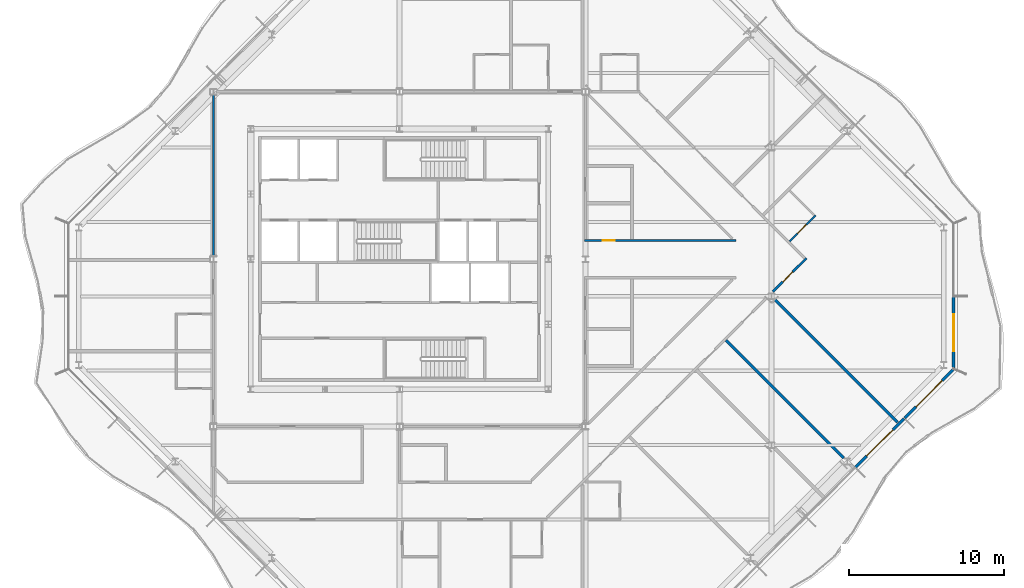
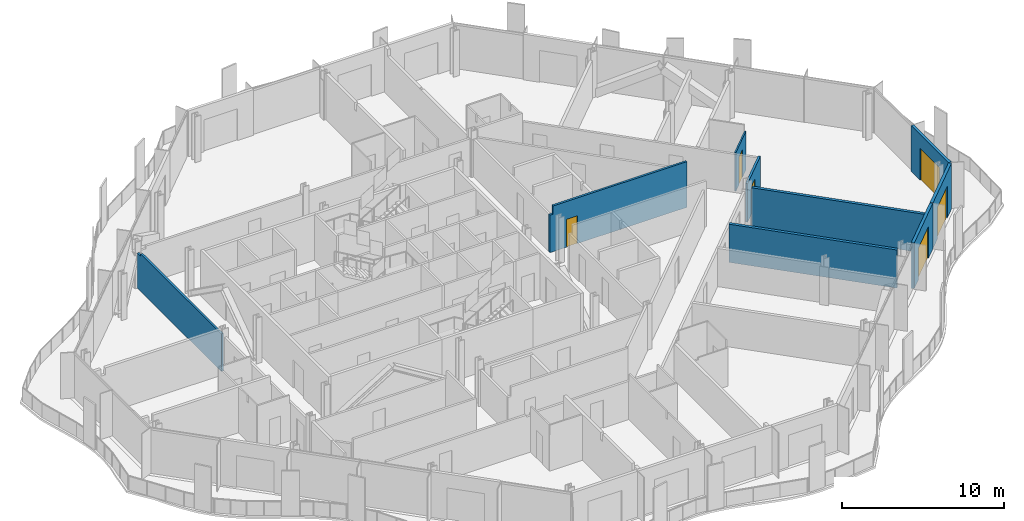
# One storey, part 10 of 17: 9 walls, 6 doors, 6 openings.
"""IFC4 building model written with IfcOpenShell, lengths in metres."""

from ifc_helpers import new_model, si_unit, direction, frame, frame_2d, origin, place, context, subcontext, project, spatial, polyline, rectangle, outline, extrude, material, layer, layer_set, type_object, element, fill, save


model = new_model("IFC4")

# Units and contexts
model_context = context("Model", 3, precision=1e-05, world=origin(), true_north=direction((0.0, 1.0)))
body_context = subcontext(model_context, "Body", "Model", "MODEL_VIEW")
ifc_project = project(units=[si_unit("LENGTHUNIT", "METRE"), si_unit("AREAUNIT", "SQUARE_METRE"), si_unit("VOLUMEUNIT", "CUBIC_METRE"), si_unit("PLANEANGLEUNIT", "RADIAN"), si_unit("MASSUNIT", "GRAM", prefix="KILO")], contexts=[model_context])

# Site, building, storey
site_placement = place(None, origin())
site = spatial("IfcSite", under=ifc_project, at=site_placement, CompositionType="ELEMENT")
building_placement = place(site_placement, origin())
building = spatial("IfcBuilding", under=site, at=building_placement, Name="Cairn Pilgrim Tower", CompositionType="ELEMENT")
storey_placement = place(building_placement, frame((0.0, 0.0, 228.60009765625)))
storey = spatial("IfcBuildingStorey", under=building, at=storey_placement, Name="L58", CompositionType="ELEMENT", Elevation=228.60009765625)

# Wall, opening, door
ifc_material_1 = material(Name="Bronze anodised aluminium insulated sandwich panel with mineral wool fill", Category="aluminium")
ifc_layer_1 = layer(ifc_material_1, 0.199951171875)
ifc_layer_set_1 = layer_set([ifc_layer_1], Name="BRONZE INFILL FRAME WALL 200")
wall_type_1 = type_object("IfcWallType", Name="BRONZE INFILL FRAME WALL 200", PredefinedType="NOTDEFINED", material=ifc_layer_set_1)
wall_1_placement = place(storey_placement, frame((36.6201171875, -11.0263671875, 0.0), z_axis=(0.0, 0.0, 1.0), x_axis=(0.707106781187, 0.707106781187, 0.0)))
wall_1 = element("IfcWall", 1, at=wall_1_placement, inside=storey, type_object=wall_type_1, Name="Bronze infill frame wall IW-SE5", PredefinedType="NOTDEFINED", context=body_context, shape_type="SweptSolid", body=[
    extrude(rectangle(XDim=4.430908203125, YDim=0.199951171875, at=frame_2d((2.21533203125, 0.0))), origin(), (0.0, 0.0, 1.0), 3.449951171875),
])
opening_1_placement = place(wall_1_placement, frame((1.01513671875, 0.0, 0.0)))
opening_1 = element("IfcOpeningElement", 2, at=opening_1_placement, cuts=wall_1, Name="Opening 5804B", PredefinedType="OPENING", context=body_context, shape_type="SweptSolid", body=[
    extrude(rectangle(XDim=2.39990234375, YDim=2.39990234375, at=frame_2d((1.199951171875, 1.199951171875))), frame((0.0, 0.10986328125, 0.0), z_axis=(0.0, -1.0, 0.0), x_axis=(1.0, 0.0, 0.0)), (0.0, 0.0, 1.0), 0.219970703125),
])
ifc_material_2 = material(Name="Bronze anodised aluminium frame with tinted low-E glass", Category="aluminium")
door_type_1 = type_object("IfcDoorType", Name="BALCONY SLIDING DOOR 2400x2400", OperationType="DOUBLE_DOOR_SLIDING", PredefinedType="DOOR", material=ifc_material_2)
door_1_placement = place(opening_1_placement, origin())
door_1 = element("IfcDoor", 3, at=door_1_placement, inside=storey, type_object=door_type_1, Name="Balcony sliding door 5804B", OperationType="SINGLE_SWING_LEFT", OverallHeight=2.39990234375, OverallWidth=2.39990234375, PredefinedType="DOOR", context=body_context, shape_type="SweptSolid", body=[
    extrude(rectangle(XDim=2.39990234375, YDim=2.39990234375, at=frame_2d((1.199951171875, 1.199951171875))), frame((0.0, 0.02490234375, 0.0), z_axis=(0.0, -1.0, 0.0), x_axis=(1.0, 0.0, 0.0)), (0.0, 0.0, 1.0), 0.050048828125),
])
fill(opening_1, door_1)

wall_2_placement = place(storey_placement, frame((39.795654296875, -7.850830078125, 0.0), z_axis=(0.0, 0.0, 1.0), x_axis=(0.707079168996, 0.707134392299, 0.0)))
wall_2 = element("IfcWall", 4, at=wall_2_placement, inside=storey, type_object=wall_type_1, Name="Bronze infill frame wall IW-SE6", PredefinedType="NOTDEFINED", context=body_context, shape_type="SweptSolid", body=[
    extrude(rectangle(XDim=4.4208984375, YDim=0.199951171875, at=frame_2d((2.21044921875, 0.0))), origin(), (0.0, 0.0, 1.0), 3.449951171875),
])
opening_2_placement = place(wall_2_placement, frame((1.015380859375, 0.0, 0.0)))
opening_2 = element("IfcOpeningElement", 5, at=opening_2_placement, cuts=wall_2, Name="Opening 5805B", PredefinedType="OPENING", context=body_context, shape_type="SweptSolid", body=[
    extrude(rectangle(XDim=2.39990234375, YDim=2.39990234375, at=frame_2d((1.199951171875, 1.199951171875))), frame((0.0, 0.10986328125, 0.0), z_axis=(0.0, -1.0, 0.0), x_axis=(1.0, 0.0, 0.0)), (0.0, 0.0, 1.0), 0.219970703125),
])
door_2_placement = place(opening_2_placement, origin())
door_2 = element("IfcDoor", 6, at=door_2_placement, inside=storey, type_object=door_type_1, Name="Balcony sliding door 5805B", OperationType="SINGLE_SWING_LEFT", OverallHeight=2.39990234375, OverallWidth=2.39990234375, PredefinedType="DOOR", context=body_context, shape_type="SweptSolid", body=[
    extrude(rectangle(XDim=2.39990234375, YDim=2.39990234375, at=frame_2d((1.199951171875, 1.199951171875))), frame((0.0, 0.02490234375, 0.0), z_axis=(0.0, -1.0, 0.0), x_axis=(1.0, 0.0, 0.0)), (0.0, 0.0, 1.0), 0.050048828125),
])
fill(opening_2, door_2)

wall_3_placement = place(storey_placement, frame((42.949951171875, -4.656494140625, 0.0), z_axis=(0.0, 0.0, 1.0), x_axis=(0.0, 1.0, 0.0)))
wall_3 = element("IfcWall", 7, at=wall_3_placement, inside=storey, type_object=wall_type_1, Name="Bronze infill frame wall IW-E1", PredefinedType="NOTDEFINED", context=body_context, shape_type="SweptSolid", body=[
    extrude(rectangle(XDim=4.62646484375, YDim=0.199951171875, at=frame_2d((2.313232421875, 0.0))), origin(), (0.0, 0.0, 1.0), 3.449951171875),
])
opening_3_placement = place(wall_3_placement, frame((1.1083984375, 0.0, 0.0)))
opening_3 = element("IfcOpeningElement", 8, at=opening_3_placement, cuts=wall_3, Name="Opening 5805B2", PredefinedType="OPENING", context=body_context, shape_type="SweptSolid", body=[
    extrude(rectangle(XDim=2.39990234375, YDim=2.39990234375, at=frame_2d((1.199951171875, 1.199951171875))), frame((0.0, 0.10986328125, 0.0), z_axis=(0.0, -1.0, 0.0), x_axis=(1.0, 0.0, 0.0)), (0.0, 0.0, 1.0), 0.219970703125),
])
door_3_placement = place(opening_3_placement, origin())
door_3 = element("IfcDoor", 9, at=door_3_placement, inside=storey, type_object=door_type_1, Name="Balcony sliding door 5805B2", OperationType="SINGLE_SWING_LEFT", OverallHeight=2.39990234375, OverallWidth=2.39990234375, PredefinedType="DOOR", context=body_context, shape_type="SweptSolid", body=[
    extrude(rectangle(XDim=2.39990234375, YDim=2.39990234375, at=frame_2d((1.199951171875, 1.199951171875))), frame((0.0, 0.02490234375, 0.0), z_axis=(0.0, -1.0, 0.0), x_axis=(1.0, 0.0, 0.0)), (0.0, 0.0, 1.0), 0.050048828125),
])
fill(opening_3, door_3)

ifc_material_3 = material(Name="Gypsum partition")
ifc_layer_2 = layer(ifc_material_3, 0.10009765625)
ifc_layer_set_2 = layer_set([ifc_layer_2], Name="PARTITION 100 DRYWALL")
wall_type_2 = type_object("IfcWallType", Name="PARTITION 100 DRYWALL", PredefinedType="PARTITIONING", material=ifc_layer_set_2)
wall_4_placement = place(storey_placement, frame((32.35888671875, 3.541015625, 0.0), z_axis=(0.0, 0.0, 1.0), x_axis=(0.707158179099, 0.707055379538, 0.0)))
wall_4 = element("IfcWall", 10, at=wall_4_placement, inside=storey, type_object=wall_type_2, Name="PARTITION W049", PredefinedType="PARTITIONING", context=body_context, shape_type="SweptSolid", body=[
    extrude(rectangle(XDim=2.375, YDim=0.10009765625, at=frame_2d((1.1875, 0.0))), origin(), (0.0, 0.0, 1.0), 2.929931640625),
])
opening_4_placement = place(wall_4_placement, frame((0.72509765625, 0.0, 0.0)))
opening_4 = element("IfcOpeningElement", 11, at=opening_4_placement, cuts=wall_4, Name="Opening 5805A", PredefinedType="OPENING", context=body_context, shape_type="SweptSolid", body=[
    extrude(rectangle(XDim=0.800048828125, YDim=2.10009765625, at=frame_2d((0.39990234375, 1.050048828125))), frame((0.0, 0.06005859375, 0.0), z_axis=(0.0, -1.0, 0.0), x_axis=(1.0, 0.0, 0.0)), (0.0, 0.0, 1.0), 0.1201171875),
])
ifc_material_4 = material(Name="Timber door leaf", Category="wood")
door_type_2 = type_object("IfcDoorType", Name="WC DOOR 800x2100", OperationType="NOTDEFINED", PredefinedType="DOOR", material=ifc_material_4)
door_4_placement = place(opening_4_placement, frame((0.800048828125, 0.0, 0.0), z_axis=(0.0, 0.0, 1.0), x_axis=(-1.0, 0.0, 0.0)))
door_4 = element("IfcDoor", 12, at=door_4_placement, inside=storey, type_object=door_type_2, Name="DOOR 5805A", OperationType="SINGLE_SWING_LEFT", OverallHeight=2.10009765625, OverallWidth=0.800048828125, PredefinedType="DOOR", context=body_context, shape_type="SweptSolid", body=[
    extrude(rectangle(XDim=0.800048828125, YDim=2.10009765625, at=frame_2d((0.39990234375, 1.050048828125))), frame((0.0, 0.02490234375, 0.0), z_axis=(0.0, -1.0, 0.0), x_axis=(1.0, 0.0, 0.0)), (0.0, 0.0, 1.0), 0.050048828125),
])
fill(opening_4, door_4)

ifc_layer_3 = layer(ifc_material_3, 0.14990234375)
ifc_layer_set_3 = layer_set([ifc_layer_3], Name="PARTITION 150 DRYWALL EI 60")
wall_type_3 = type_object("IfcWallType", Name="PARTITION 150 DRYWALL EI 60", PredefinedType="PARTITIONING", material=ifc_layer_set_3)
wall_5_placement = place(storey_placement, frame((31.294921875, 0.301025390625, 0.0), z_axis=(0.0, 0.0, 1.0), x_axis=(0.707146890479, 0.707066669618, 0.0)))
wall_5 = element("IfcWall", 13, at=wall_5_placement, inside=storey, type_object=wall_type_3, Name="PARTITION W044", PredefinedType="PARTITIONING", context=body_context, shape_type="SweptSolid", body=[
    extrude(rectangle(XDim=3.04345703125, YDim=0.14990234375, at=frame_2d((1.521728515625, 0.0))), origin(), (0.0, 0.0, 1.0), 2.929931640625),
])
opening_5_placement = place(wall_5_placement, frame((0.89453125, 0.0, 0.0)))
opening_5 = element("IfcOpeningElement", 14, at=opening_5_placement, cuts=wall_5, Name="Opening 5805", PredefinedType="OPENING", context=body_context, shape_type="SweptSolid", body=[
    extrude(rectangle(XDim=0.89990234375, YDim=2.10009765625, at=frame_2d((0.449951171875, 1.050048828125))), frame((0.0, 0.0849609375, 0.0), z_axis=(0.0, -1.0, 0.0), x_axis=(1.0, 0.0, 0.0)), (0.0, 0.0, 1.0), 0.169921875),
])
door_type_3 = type_object("IfcDoorType", Name="ROOM DOOR 900x2100 FD30S", OperationType="NOTDEFINED", PredefinedType="DOOR", material=ifc_material_4)
door_5_placement = place(opening_5_placement, frame((0.89990234375, 0.0, 0.0), z_axis=(0.0, 0.0, 1.0), x_axis=(-1.0, 0.0, 0.0)))
door_5 = element("IfcDoor", 15, at=door_5_placement, inside=storey, type_object=door_type_3, Name="DOOR 5805", OperationType="SINGLE_SWING_LEFT", OverallHeight=2.10009765625, OverallWidth=0.89990234375, PredefinedType="DOOR", context=body_context, shape_type="SweptSolid", body=[
    extrude(rectangle(XDim=0.89990234375, YDim=2.10009765625, at=frame_2d((0.449951171875, 1.050048828125))), frame((0.0, 0.02490234375, 0.0), z_axis=(0.0, -1.0, 0.0), x_axis=(1.0, 0.0, 0.0)), (0.0, 0.0, 1.0), 0.050048828125),
])
fill(opening_5, door_5)

# Wall
wall_6_placement = place(storey_placement, frame((-4.800048828125, 2.596435546875, 0.0), z_axis=(0.0, 0.0, 1.0), x_axis=(0.0, 1.0, 0.0)))
element("IfcWall", 16, at=wall_6_placement, inside=storey, type_object=wall_type_3, Name="PARTITION W048", PredefinedType="PARTITIONING", context=body_context, shape_type="SweptSolid", body=[
    extrude(outline(polyline([(0.0, 0.0), (10.406982421875, 0.0), (10.406982421875, 2.6298828125), (9.960693359375, 2.6298828125), (9.958740234375, 2.829833984375), (0.0, 2.829833984375), (0.0, 0.0)])), frame((0.0, 0.074951171875, 0.0), z_axis=(0.0, -1.0, 0.0), x_axis=(1.0, 0.0, 0.0)), (0.0, 0.0, 1.0), 0.14990234375),
])

# Wall, opening, door
wall_7_placement = place(storey_placement, frame((19.125, 3.60009765625, 0.0), z_axis=(0.0, 0.0, 1.0), x_axis=(1.0, 0.0, 0.0)))
wall_7 = element("IfcWall", 17, at=wall_7_placement, inside=storey, type_object=wall_type_3, Name="PARTITION W050", PredefinedType="PARTITIONING", context=body_context, shape_type="SweptSolid", body=[
    extrude(outline(polyline([(0.0, 0.0), (9.781005859375, 0.0), (9.781005859375, 3.449951171875), (0.22509765625, 3.449951171875), (0.222900390625, 2.829833984375), (0.0, 2.829833984375), (0.0, 0.0)])), frame((0.0, 0.074951171875, 0.0), z_axis=(0.0, -1.0, 0.0), x_axis=(1.0, 0.0, 0.0)), (0.0, 0.0, 1.0), 0.14990234375),
])
opening_6_placement = place(wall_7_placement, frame((1.175048828125, 0.0, 0.0)))
opening_6 = element("IfcOpeningElement", 18, at=opening_6_placement, cuts=wall_7, Name="Opening 5816", PredefinedType="OPENING", context=body_context, shape_type="SweptSolid", body=[
    extrude(rectangle(XDim=0.800048828125, YDim=2.10009765625, at=frame_2d((0.39990234375, 1.050048828125))), frame((0.0, 0.0849609375, 0.0), z_axis=(0.0, -1.0, 0.0), x_axis=(1.0, 0.0, 0.0)), (0.0, 0.0, 1.0), 0.169921875),
])
door_type_4 = type_object("IfcDoorType", Name="WC DOOR 800x2100 FD30S", OperationType="NOTDEFINED", PredefinedType="DOOR", material=ifc_material_4)
door_6_placement = place(opening_6_placement, origin())
door_6 = element("IfcDoor", 19, at=door_6_placement, inside=storey, type_object=door_type_4, Name="DOOR 5816", OperationType="SINGLE_SWING_RIGHT", OverallHeight=2.10009765625, OverallWidth=0.800048828125, PredefinedType="DOOR", context=body_context, shape_type="SweptSolid", body=[
    extrude(rectangle(XDim=0.800048828125, YDim=2.10009765625, at=frame_2d((0.39990234375, 1.050048828125))), frame((0.0, 0.02490234375, 0.0), z_axis=(0.0, -1.0, 0.0), x_axis=(1.0, 0.0, 0.0)), (0.0, 0.0, 1.0), 0.050048828125),
])
fill(opening_6, door_6)

# Walls
ifc_layer_4 = layer(ifc_material_3, 0.199951171875)
ifc_layer_set_4 = layer_set([ifc_layer_4], Name="SHAFT WALL 200 GYPSUM EI 60")
wall_type_4 = type_object("IfcWallType", Name="SHAFT WALL 200 GYPSUM EI 60", PredefinedType="PARTITIONING", material=ifc_layer_set_4)
wall_8_placement = place(storey_placement, frame((35.860107421875, -10.43603515625, 0.0), z_axis=(0.0, 0.0, 1.0), x_axis=(-0.707106781187, 0.707106781187, 0.0)))
element("IfcWall", 20, at=wall_8_placement, inside=storey, type_object=wall_type_4, Name="PARTITION W027", PredefinedType="PARTITIONING", context=body_context, shape_type="SweptSolid", body=[
    extrude(rectangle(XDim=10.745361328125, YDim=0.199951171875, at=frame_2d((5.37255859375, 0.0))), origin(), (0.0, 0.0, 1.0), 2.8798828125),
])
wall_9_placement = place(storey_placement, frame((39.331298828125, -8.13134765625, 0.0), z_axis=(0.0, 0.0, 1.0), x_axis=(-0.707106781187, 0.707106781187, 0.0)))
element("IfcWall", 21, at=wall_9_placement, inside=storey, type_object=wall_type_4, Name="PARTITION W035", PredefinedType="PARTITIONING", context=body_context, shape_type="SweptSolid", body=[
    extrude(rectangle(XDim=11.219482421875, YDim=0.199951171875, at=frame_2d((5.60986328125, 0.0))), origin(), (0.0, 0.0, 1.0), 2.929931640625),
])

save(model, "model.ifc")
